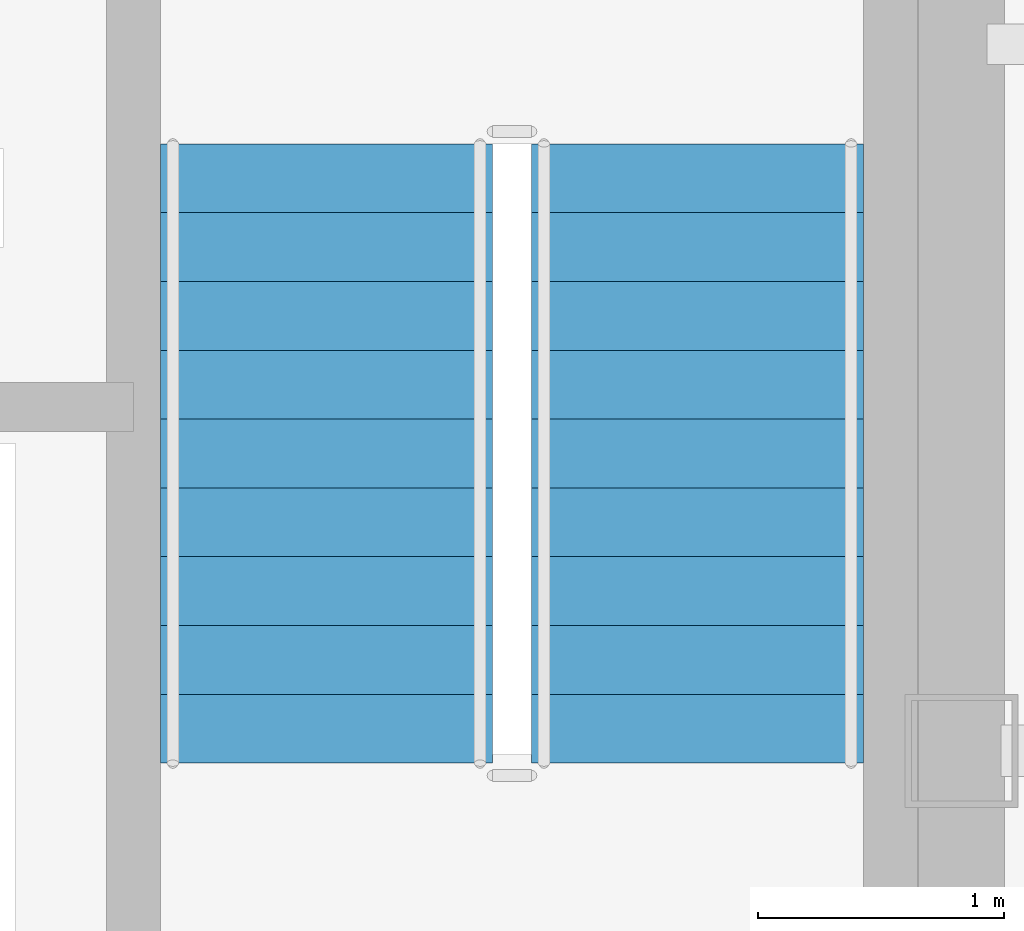
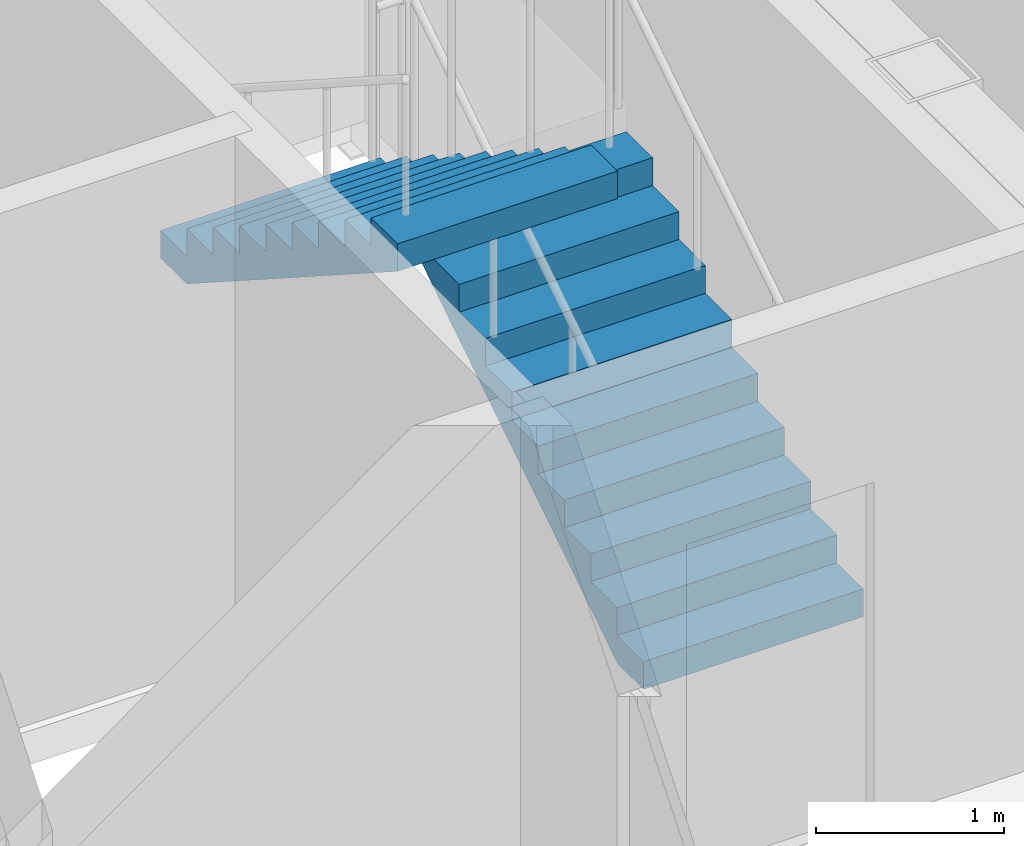
# One storey, part 14 of 15: 2 stair flights, 1 element without a shape of its own.
"""IFC4 building model written with IfcOpenShell, lengths in metres."""

from ifc_helpers import new_model, si_unit, direction, frame, origin, place, context, subcontext, project, spatial, polyline, outline, extrude, material, layer, layer_set, type_object, element, aggregate, save


model = new_model("IFC4")

# Units and contexts
model_context = context("Model", 3, precision=1e-05, world=origin(), true_north=direction((0.0, 1.0)))
body_context = subcontext(model_context, "Body", "Model", "MODEL_VIEW")
ifc_project = project(units=[si_unit("LENGTHUNIT", "METRE"), si_unit("AREAUNIT", "SQUARE_METRE"), si_unit("VOLUMEUNIT", "CUBIC_METRE"), si_unit("PLANEANGLEUNIT", "RADIAN"), si_unit("MASSUNIT", "GRAM", prefix="KILO")], contexts=[model_context])

# Site, building, storey
site_placement = place(None, origin())
site = spatial("IfcSite", under=ifc_project, at=site_placement, CompositionType="ELEMENT")
building_placement = place(site_placement, origin())
building = spatial("IfcBuilding", under=site, at=building_placement, Name="Kolveth Station Tower", CompositionType="ELEMENT")
storey_placement = place(building_placement, frame((0.0, 0.0, 271.300048828125)))
storey = spatial("IfcBuildingStorey", under=building, at=storey_placement, Name="L78", CompositionType="ELEMENT", Elevation=271.300048828125)

# Stair, stair flights
ifc_material = material(Name="Concrete C40/50", Category="concrete")
stair_type = type_object("IfcStairType", Name="Stair_ST2", PredefinedType="HALF_TURN_STAIR", material=ifc_material)
stair_placement = place(storey_placement, origin())
stair = element("IfcStair", 1, at=stair_placement, inside=storey, type_object=stair_type, Name="L78 Tower Exit Stair ST2", PredefinedType="HALF_TURN_STAIR")
ifc_layer = layer(ifc_material, 0.179931640625)
ifc_layer_set = layer_set([ifc_layer], Name="Concrete C40/50")
stair_flight_type = type_object("IfcStairFlightType", Name="Flight_ST2", PredefinedType="STRAIGHT", material=ifc_layer_set)
stair_flight_1_placement = place(storey_placement, frame((27.425048828125, 22.949951171875, 0.0), z_axis=(0.0, 0.0, 1.0), x_axis=(0.0, 1.0, 0.0)))
stair_flight_1 = element("IfcStairFlight", 2, at=stair_flight_1_placement, type_object=stair_flight_type, Name="ST2 flight 1", NumberOfRisers=10, NumberOfTreads=9, PredefinedType="STRAIGHT", RiserHeight=0.18, TreadLength=0.28, context=body_context, shape_type="SweptSolid", body=[
    extrude(outline(polyline([(0.0, 0.0), (0.0, 0.179931640625), (0.280029296875, 0.179931640625), (0.280029296875, 0.360107421875), (0.56005859375, 0.360107421875), (0.56005859375, 0.5400390625), (0.840087890625, 0.5400390625), (0.840087890625, 0.719970703125), (1.1201171875, 0.719970703125), (1.1201171875, 0.89990234375), (1.39990234375, 0.89990234375), (1.39990234375, 1.080078125), (1.679931640625, 1.080078125), (1.679931640625, 1.260009765625), (1.9599609375, 1.260009765625), (1.9599609375, 1.43994140625), (2.239990234375, 1.43994140625), (2.239990234375, 1.6201171875), (2.52001953125, 1.6201171875), (2.52001953125, 1.800048828125), (2.52001953125, 1.44189453125), (0.277099609375, 0.0), (0.0, 0.0)])), frame((0.0, 0.675048828125, 0.0), z_axis=(0.0, -1.0, 0.0), x_axis=(1.0, 0.0, 0.0)), (0.0, 0.0, 1.0), 1.35009765625),
])
stair_flight_2_placement = place(storey_placement, frame((25.9150390625, 25.469970703125, 1.800048828125), z_axis=(0.0, 0.0, 1.0), x_axis=(0.0, -1.0, 0.0)))
stair_flight_2 = element("IfcStairFlight", 3, at=stair_flight_2_placement, type_object=stair_flight_type, Name="ST2 flight 2", NumberOfRisers=10, NumberOfTreads=9, PredefinedType="STRAIGHT", RiserHeight=0.18, TreadLength=0.28, context=body_context, shape_type="SweptSolid", body=[
    extrude(outline(polyline([(0.0, 0.0), (0.0, 0.179931640625), (0.280029296875, 0.179931640625), (0.280029296875, 0.360107421875), (0.56005859375, 0.360107421875), (0.56005859375, 0.5400390625), (0.840087890625, 0.5400390625), (0.840087890625, 0.719970703125), (1.1201171875, 0.719970703125), (1.1201171875, 0.89990234375), (1.39990234375, 0.89990234375), (1.39990234375, 1.080078125), (1.679931640625, 1.080078125), (1.679931640625, 1.260009765625), (1.9599609375, 1.260009765625), (1.9599609375, 1.43994140625), (2.239990234375, 1.43994140625), (2.239990234375, 1.6201171875), (2.52001953125, 1.6201171875), (2.52001953125, 1.800048828125), (2.52001953125, 1.44189453125), (0.277099609375, 0.0), (0.0, 0.0)])), frame((0.0, 0.675048828125, 0.0), z_axis=(0.0, -1.0, 0.0), x_axis=(1.0, 0.0, 0.0)), (0.0, 0.0, 1.0), 1.35009765625),
])
aggregate(stair, [stair_flight_1, stair_flight_2])

save(model, "model.ifc")
